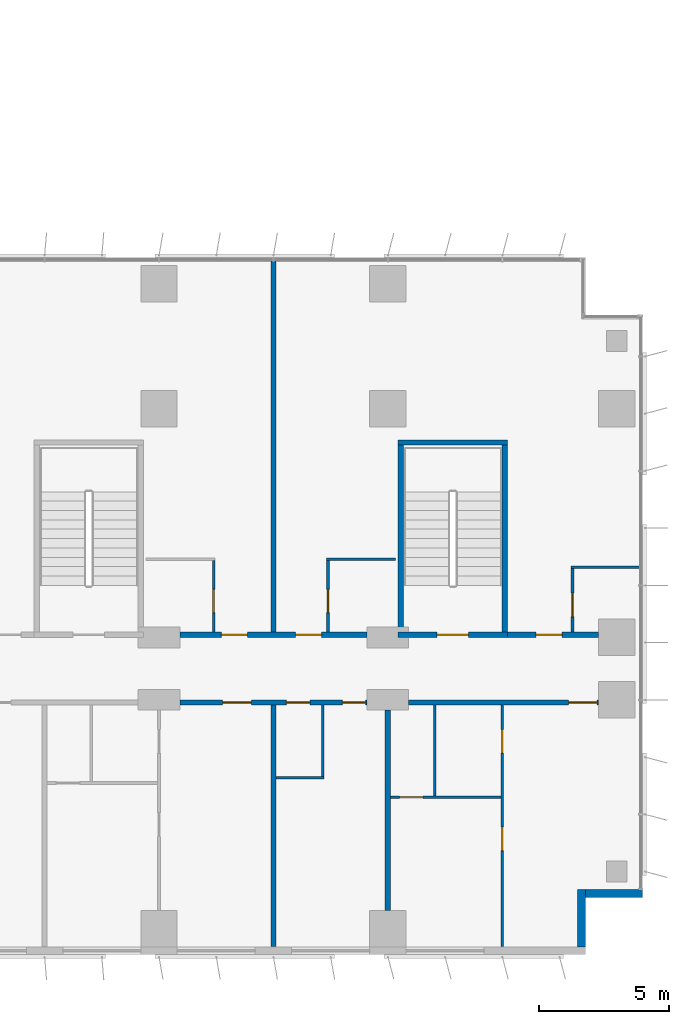
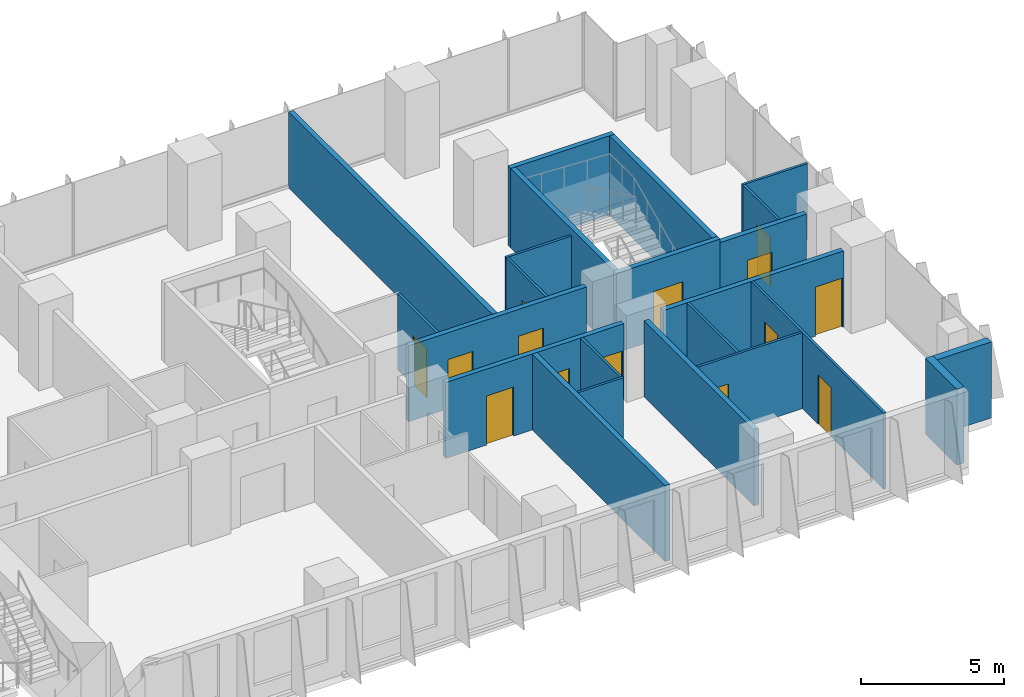
# One storey, part 18 of 24: 23 walls, 14 doors, 14 openings.
"""IFC4 building model written with IfcOpenShell, lengths in metres."""

from ifc_helpers import new_model, si_unit, direction, frame, frame_2d, origin, place, context, subcontext, project, spatial, rectangle, extrude, material, layer, layer_set, type_object, element, fill, save


model = new_model("IFC4")

# Units and contexts
model_context = context("Model", 3, precision=1e-05, world=origin(), true_north=direction((0.0, 1.0)))
body_context = subcontext(model_context, "Body", "Model", "MODEL_VIEW")
ifc_project = project(units=[si_unit("LENGTHUNIT", "METRE"), si_unit("AREAUNIT", "SQUARE_METRE"), si_unit("VOLUMEUNIT", "CUBIC_METRE"), si_unit("PLANEANGLEUNIT", "RADIAN"), si_unit("MASSUNIT", "GRAM", prefix="KILO")], contexts=[model_context])

# Site, building, storey
site_placement = place(None, origin())
site = spatial("IfcSite", under=ifc_project, at=site_placement, CompositionType="ELEMENT")
building_placement = place(site_placement, origin())
building = spatial("IfcBuilding", under=site, at=building_placement, Name="Kemantara Hotel Tower", CompositionType="ELEMENT")
storey_placement = place(building_placement, frame((0.0, 0.0, 79.699951171875)))
storey = spatial("IfcBuildingStorey", under=building, at=storey_placement, Name="L18", CompositionType="ELEMENT", Elevation=79.699951171875)

# Walls
ifc_material_1 = material(Name="Bronze anodised aluminium cladding on insulated steel stud wall", Category="steel")
ifc_layer_1 = layer(ifc_material_1, 0.300048828125)
ifc_layer_set_1 = layer_set([ifc_layer_1], Name="Bronze anodised aluminium cladding on insulated steel stud wall")
wall_type_1 = type_object("IfcWallType", Name="BRONZE METAL-CLAD EXTERNAL WALL 300", PredefinedType="STANDARD", material=ifc_layer_set_1)
for number, where, z_axis, x_axis, name in (
    (1, (78.85009765625, 0.300048828125, 0.0), (0.0, 0.0, 1.0), (0.0, 1.0, 0.0), "EXTERNAL WALL L18 T1-R02"),
    (2, (79.0, 2.35009765625, 0.0), (0.0, 0.0, 1.0), (1.0, 0.0, 0.0), "EXTERNAL WALL L18 T1-R03"),
):
    element("IfcWall", number, at=place(storey_placement, frame(where, z_axis=z_axis, x_axis=x_axis)), inside=storey, type_object=wall_type_1, Name=name, PredefinedType="STANDARD", context=body_context, shape_type="SweptSolid", body=[
        extrude(rectangle(XDim=2.199951171875, YDim=0.300048828125, at=frame_2d((1.10009765625, 0.0))), origin(), (0.0, 0.0, 1.0), 3.25),
    ])

# Wall, openings, doors
ifc_material_2 = material(Name="Gypsum board partition, steel studs and mineral wool, 200 mm", Category="steel")
ifc_layer_2 = layer(ifc_material_2, 0.199951171875)
ifc_layer_set_2 = layer_set([ifc_layer_2], Name="Gypsum board partition, steel studs and mineral wool, 200 mm")
wall_type_2 = type_object("IfcWallType", Name="CORRIDOR WALL 200", PredefinedType="PARTITIONING", material=ifc_layer_set_2)
wall_1_placement = place(storey_placement, frame((70.599853515625, 9.699951171875, 0.0), z_axis=(0.0, 0.0, 1.0), x_axis=(-1.0, 0.0, 0.0)))
wall_1 = element("IfcWall", 3, at=wall_1_placement, inside=storey, type_object=wall_type_2, Name="CORRIDOR WALL 200 003", PredefinedType="PARTITIONING", context=body_context, shape_type="SweptSolid", body=[
    extrude(rectangle(XDim=7.19970703125, YDim=0.199951171875, at=frame_2d((3.599853515625, 0.0))), origin(), (0.0, 0.0, 1.0), 3.25),
])
opening_1_placement = place(wall_1_placement, frame((4.449951171875, 0.0, 0.0)))
opening_1 = element("IfcOpeningElement", 4, at=opening_1_placement, cuts=wall_1, Name="Opening F06-003", PredefinedType="OPENING", context=body_context, shape_type="SweptSolid", body=[
    extrude(rectangle(XDim=1.10009765625, YDim=2.10009765625, at=frame_2d((0.550048828125, 1.050048828125))), frame((0.0, 0.10986328125, 0.0), z_axis=(0.0, -1.0, 0.0), x_axis=(1.0, 0.0, 0.0)), (0.0, 0.0, 1.0), 0.219970703125),
])
opening_2_placement = place(wall_1_placement, frame((0.0498046875, 0.0, 0.0)))
opening_2 = element("IfcOpeningElement", 5, at=opening_2_placement, cuts=wall_1, Name="Opening F06-007", PredefinedType="OPENING", context=body_context, shape_type="SweptSolid", body=[
    extrude(rectangle(XDim=0.89990234375, YDim=2.10009765625, at=frame_2d((0.449951171875, 1.050048828125))), frame((0.0, 0.10986328125, 0.0), z_axis=(0.0, -1.0, 0.0), x_axis=(1.0, 0.0, 0.0)), (0.0, 0.0, 1.0), 0.219970703125),
])
opening_3_placement = place(wall_1_placement, frame((2.199951171875, 0.0, 0.0)))
opening_3 = element("IfcOpeningElement", 6, at=opening_3_placement, cuts=wall_1, Name="Opening F06-008", PredefinedType="OPENING", context=body_context, shape_type="SweptSolid", body=[
    extrude(rectangle(XDim=0.89990234375, YDim=2.10009765625, at=frame_2d((0.449951171875, 1.050048828125))), frame((0.0, 0.10986328125, 0.0), z_axis=(0.0, -1.0, 0.0), x_axis=(1.0, 0.0, 0.0)), (0.0, 0.0, 1.0), 0.219970703125),
])
ifc_material_3 = material(Name="Steel door leaf with steel frame", Category="steel")
door_type_1 = type_object("IfcDoorType", Name="SERVICE ROOM DOOR 900 X 2100 FD60", OperationType="NOTDEFINED", PredefinedType="DOOR", material=ifc_material_3)
door_1_placement = place(opening_2_placement, origin())
door_1 = element("IfcDoor", 7, at=door_1_placement, inside=storey, type_object=door_type_1, Name="SERVICE ROOM DOOR F06-007", OperationType="SINGLE_SWING_LEFT", OverallHeight=2.10009765625, OverallWidth=0.89990234375, PredefinedType="DOOR", context=body_context, shape_type="SweptSolid", body=[
    extrude(rectangle(XDim=0.89990234375, YDim=2.10009765625, at=frame_2d((0.449951171875, 1.050048828125))), frame((0.0, 0.02490234375, 0.0), z_axis=(0.0, -1.0, 0.0), x_axis=(1.0, 0.0, 0.0)), (0.0, 0.0, 1.0), 0.050048828125),
])
fill(opening_2, door_1)
door_2_placement = place(opening_3_placement, origin())
door_2 = element("IfcDoor", 8, at=door_2_placement, inside=storey, type_object=door_type_1, Name="SERVICE ROOM DOOR F06-008", OperationType="SINGLE_SWING_RIGHT", OverallHeight=2.10009765625, OverallWidth=0.89990234375, PredefinedType="DOOR", context=body_context, shape_type="SweptSolid", body=[
    extrude(rectangle(XDim=0.89990234375, YDim=2.10009765625, at=frame_2d((0.449951171875, 1.050048828125))), frame((0.0, 0.02490234375, 0.0), z_axis=(0.0, -1.0, 0.0), x_axis=(1.0, 0.0, 0.0)), (0.0, 0.0, 1.0), 0.050048828125),
])
fill(opening_3, door_2)
ifc_material_4 = material(Name="Hardwood veneer door leaf with steel frame", Category="steel")
door_type_2 = type_object("IfcDoorType", Name="SUITE ENTRANCE DOOR 1100 X 2100 FD30S", OperationType="NOTDEFINED", PredefinedType="DOOR", material=ifc_material_4)
door_3_placement = place(opening_1_placement, origin())
door_3 = element("IfcDoor", 9, at=door_3_placement, inside=storey, type_object=door_type_2, Name="SUITE ENTRANCE DOOR F06-003", OperationType="SINGLE_SWING_LEFT", OverallHeight=2.10009765625, OverallWidth=1.10009765625, PredefinedType="DOOR", context=body_context, shape_type="SweptSolid", body=[
    extrude(rectangle(XDim=1.10009765625, YDim=2.10009765625, at=frame_2d((0.550048828125, 1.050048828125))), frame((0.0, 0.02490234375, 0.0), z_axis=(0.0, -1.0, 0.0), x_axis=(1.0, 0.0, 0.0)), (0.0, 0.0, 1.0), 0.050048828125),
])
fill(opening_1, door_3)

# Wall, opening, door
wall_2_placement = place(storey_placement, frame((79.5, 9.699951171875, 0.0), z_axis=(0.0, 0.0, 1.0), x_axis=(-1.0, 0.0, 0.0)))
wall_2 = element("IfcWall", 10, at=wall_2_placement, inside=storey, type_object=wall_type_2, Name="CORRIDOR WALL 200 004", PredefinedType="PARTITIONING", context=body_context, shape_type="SweptSolid", body=[
    extrude(rectangle(XDim=7.2998046875, YDim=0.199951171875, at=frame_2d((3.64990234375, 0.0))), origin(), (0.0, 0.0, 1.0), 3.25),
])
opening_4_placement = place(wall_2_placement, frame((0.0498046875, 0.0, 0.0)))
opening_4 = element("IfcOpeningElement", 11, at=opening_4_placement, cuts=wall_2, Name="Opening F06-009", PredefinedType="OPENING", context=body_context, shape_type="SweptSolid", body=[
    extrude(rectangle(XDim=1.10009765625, YDim=2.10009765625, at=frame_2d((0.550048828125, 1.050048828125))), frame((0.0, 0.10986328125, 0.0), z_axis=(0.0, -1.0, 0.0), x_axis=(1.0, 0.0, 0.0)), (0.0, 0.0, 1.0), 0.219970703125),
])
door_4_placement = place(opening_4_placement, origin())
door_4 = element("IfcDoor", 12, at=door_4_placement, inside=storey, type_object=door_type_2, Name="SUITE ENTRANCE DOOR F06-009", OperationType="SINGLE_SWING_LEFT", OverallHeight=2.10009765625, OverallWidth=1.10009765625, PredefinedType="DOOR", context=body_context, shape_type="SweptSolid", body=[
    extrude(rectangle(XDim=1.10009765625, YDim=2.10009765625, at=frame_2d((0.550048828125, 1.050048828125))), frame((0.0, 0.02490234375, 0.0), z_axis=(0.0, -1.0, 0.0), x_axis=(1.0, 0.0, 0.0)), (0.0, 0.0, 1.0), 0.050048828125),
])
fill(opening_4, door_4)

# Wall, openings, doors
wall_3_placement = place(storey_placement, frame((63.400146484375, 12.300048828125, 0.0), z_axis=(0.0, 0.0, 1.0), x_axis=(1.0, 0.0, 0.0)))
wall_3 = element("IfcWall", 13, at=wall_3_placement, inside=storey, type_object=wall_type_2, Name="CORRIDOR WALL 200 014", PredefinedType="PARTITIONING", context=body_context, shape_type="SweptSolid", body=[
    extrude(rectangle(XDim=7.19970703125, YDim=0.199951171875, at=frame_2d((3.599853515625, 0.0))), origin(), (0.0, 0.0, 1.0), 3.25),
])
opening_5_placement = place(wall_3_placement, frame((1.599853515625, 0.0, 0.0)))
opening_5 = element("IfcOpeningElement", 14, at=opening_5_placement, cuts=wall_3, Name="Opening F06-023", PredefinedType="OPENING", context=body_context, shape_type="SweptSolid", body=[
    extrude(rectangle(XDim=1.0, YDim=2.10009765625, at=frame_2d((0.5, 1.050048828125))), frame((0.0, 0.10986328125, 0.0), z_axis=(0.0, -1.0, 0.0), x_axis=(1.0, 0.0, 0.0)), (0.0, 0.0, 1.0), 0.219970703125),
])
opening_6_placement = place(wall_3_placement, frame((4.449951171875, 0.0, 0.0)))
opening_6 = element("IfcOpeningElement", 15, at=opening_6_placement, cuts=wall_3, Name="Opening F06-025", PredefinedType="OPENING", context=body_context, shape_type="SweptSolid", body=[
    extrude(rectangle(XDim=1.0, YDim=2.10009765625, at=frame_2d((0.5, 1.050048828125))), frame((0.0, 0.10986328125, 0.0), z_axis=(0.0, -1.0, 0.0), x_axis=(1.0, 0.0, 0.0)), (0.0, 0.0, 1.0), 0.219970703125),
])
door_type_3 = type_object("IfcDoorType", Name="GUEST ROOM DOOR 1000 X 2100 FD30S", OperationType="NOTDEFINED", PredefinedType="DOOR", material=ifc_material_4)
door_5_placement = place(opening_5_placement, origin())
door_5 = element("IfcDoor", 16, at=door_5_placement, inside=storey, type_object=door_type_3, Name="GUEST ROOM DOOR F06-023", OperationType="SINGLE_SWING_RIGHT", OverallHeight=2.10009765625, OverallWidth=1.0, PredefinedType="DOOR", context=body_context, shape_type="SweptSolid", body=[
    extrude(rectangle(XDim=1.0, YDim=2.10009765625, at=frame_2d((0.5, 1.050048828125))), frame((0.0, 0.02490234375, 0.0), z_axis=(0.0, -1.0, 0.0), x_axis=(1.0, 0.0, 0.0)), (0.0, 0.0, 1.0), 0.050048828125),
])
fill(opening_5, door_5)
door_6_placement = place(opening_6_placement, origin())
door_6 = element("IfcDoor", 17, at=door_6_placement, inside=storey, type_object=door_type_3, Name="GUEST ROOM DOOR F06-025", OperationType="SINGLE_SWING_LEFT", OverallHeight=2.10009765625, OverallWidth=1.0, PredefinedType="DOOR", context=body_context, shape_type="SweptSolid", body=[
    extrude(rectangle(XDim=1.0, YDim=2.10009765625, at=frame_2d((0.5, 1.050048828125))), frame((0.0, 0.02490234375, 0.0), z_axis=(0.0, -1.0, 0.0), x_axis=(1.0, 0.0, 0.0)), (0.0, 0.0, 1.0), 0.050048828125),
])
fill(opening_6, door_6)

# Wall, opening, door
wall_4_placement = place(storey_placement, frame((76.0, 12.300048828125, 0.0), z_axis=(0.0, 0.0, 1.0), x_axis=(1.0, 0.0, 0.0)))
wall_4 = element("IfcWall", 18, at=wall_4_placement, inside=storey, type_object=wall_type_2, Name="CORRIDOR WALL 200 015", PredefinedType="PARTITIONING", context=body_context, shape_type="SweptSolid", body=[
    extrude(rectangle(XDim=3.5, YDim=0.199951171875, at=frame_2d((1.75, 0.0))), origin(), (0.0, 0.0, 1.0), 3.25),
])
opening_7_placement = place(wall_4_placement, frame((1.10009765625, 0.0, 0.0)))
opening_7 = element("IfcOpeningElement", 19, at=opening_7_placement, cuts=wall_4, Name="Opening F06-027", PredefinedType="OPENING", context=body_context, shape_type="SweptSolid", body=[
    extrude(rectangle(XDim=1.0, YDim=2.10009765625, at=frame_2d((0.5, 1.050048828125))), frame((0.0, 0.10986328125, 0.0), z_axis=(0.0, -1.0, 0.0), x_axis=(1.0, 0.0, 0.0)), (0.0, 0.0, 1.0), 0.219970703125),
])
door_7_placement = place(opening_7_placement, origin())
door_7 = element("IfcDoor", 20, at=door_7_placement, inside=storey, type_object=door_type_3, Name="GUEST ROOM DOOR F06-027", OperationType="SINGLE_SWING_LEFT", OverallHeight=2.10009765625, OverallWidth=1.0, PredefinedType="DOOR", context=body_context, shape_type="SweptSolid", body=[
    extrude(rectangle(XDim=1.0, YDim=2.10009765625, at=frame_2d((0.5, 1.050048828125))), frame((0.0, 0.02490234375, 0.0), z_axis=(0.0, -1.0, 0.0), x_axis=(1.0, 0.0, 0.0)), (0.0, 0.0, 1.0), 0.050048828125),
])
fill(opening_7, door_7)

ifc_material_5 = material(Name="Concrete fc 40 MPa", Category="concrete")
ifc_layer_3 = layer(ifc_material_5, 0.199951171875)
ifc_layer_set_3 = layer_set([ifc_layer_3], Name="Concrete fc 40 MPa")
wall_type_3 = type_object("IfcWallType", Name="Concrete stair wall 200 mm", PredefinedType="SHEAR", material=ifc_layer_set_3)
wall_5_placement = place(storey_placement, frame((71.800048828125, 12.300048828125, 0.0), z_axis=(0.0, 0.0, 1.0), x_axis=(1.0, 0.0, 0.0)))
wall_5 = element("IfcWall", 21, at=wall_5_placement, inside=storey, type_object=wall_type_3, Name="Stair ST5 enclosure wall with door", PredefinedType="SHEAR", context=body_context, shape_type="SweptSolid", body=[
    extrude(rectangle(XDim=4.199951171875, YDim=0.199951171875, at=frame_2d((2.10009765625, 0.0))), origin(), (0.0, 0.0, 1.0), 3.400146484375),
])
opening_8_placement = place(wall_5_placement, frame((1.5, 0.0, 0.0)))
opening_8 = element("IfcOpeningElement", 22, at=opening_8_placement, cuts=wall_5, Name="Opening ST5-C", PredefinedType="OPENING", context=body_context, shape_type="SweptSolid", body=[
    extrude(rectangle(XDim=1.199951171875, YDim=2.10009765625, at=frame_2d((0.60009765625, 1.050048828125))), frame((0.0, 0.10986328125, 0.0), z_axis=(0.0, -1.0, 0.0), x_axis=(1.0, 0.0, 0.0)), (0.0, 0.0, 1.0), 0.219970703125),
])
ifc_material_6 = material(Name="Steel fire door", Category="steel")
door_type_4 = type_object("IfcDoorType", Name="Fire door FD90 1200 x 2100", OperationType="NOTDEFINED", PredefinedType="DOOR", material=ifc_material_6)
door_8_placement = place(opening_8_placement, origin())
door_8 = element("IfcDoor", 23, at=door_8_placement, inside=storey, type_object=door_type_4, Name="Stair ST5 door", OperationType="SINGLE_SWING_RIGHT", OverallHeight=2.10009765625, OverallWidth=1.199951171875, PredefinedType="DOOR", context=body_context, shape_type="SweptSolid", body=[
    extrude(rectangle(XDim=1.199951171875, YDim=2.10009765625, at=frame_2d((0.60009765625, 1.050048828125))), frame((0.0, 0.02490234375, 0.0), z_axis=(0.0, -1.0, 0.0), x_axis=(1.0, 0.0, 0.0)), (0.0, 0.0, 1.0), 0.050048828125),
])
fill(opening_8, door_8)

# Walls
wall_6_placement = place(storey_placement, frame((71.800048828125, 19.699951171875, 0.0), z_axis=(0.0, 0.0, 1.0), x_axis=(1.0, 0.0, 0.0)))
element("IfcWall", 24, at=wall_6_placement, inside=storey, type_object=wall_type_3, Name="Stair ST5 enclosure wall N", PredefinedType="SHEAR", context=body_context, shape_type="SweptSolid", body=[
    extrude(rectangle(XDim=4.199951171875, YDim=0.199951171875, at=frame_2d((2.10009765625, 0.0))), origin(), (0.0, 0.0, 1.0), 3.400146484375),
])
for number, where, z_axis, x_axis, name in (
    (25, (71.89990234375, 12.39990234375, 0.0), (0.0, 0.0, 1.0), (0.0, 1.0, 0.0), "Stair ST5 enclosure wall W"),
    (26, (75.89990234375, 12.39990234375, 0.0), (0.0, 0.0, 1.0), (0.0, 1.0, 0.0), "Stair ST5 enclosure wall E"),
):
    element("IfcWall", number, at=place(storey_placement, frame(where, z_axis=z_axis, x_axis=x_axis)), inside=storey, type_object=wall_type_3, Name=name, PredefinedType="SHEAR", context=body_context, shape_type="SweptSolid", body=[
        extrude(rectangle(XDim=7.2001953125, YDim=0.199951171875, at=frame_2d((3.60009765625, 0.0))), origin(), (0.0, 0.0, 1.0), 3.400146484375),
    ])
ifc_layer_4 = layer(ifc_material_2, 0.199951171875)
ifc_layer_set_4 = layer_set([ifc_layer_4], Name="Gypsum board partition, steel studs and mineral wool, 200 mm")
wall_type_4 = type_object("IfcWallType", Name="GUEST ROOM PARTY WALL 200", PredefinedType="PARTITIONING", material=ifc_layer_set_4)
wall_7_placement = place(storey_placement, frame((67.0, 0.31005859375, 0.0), z_axis=(0.0, 0.0, 1.0), x_axis=(0.0, 1.0, 0.0)))
element("IfcWall", 27, at=wall_7_placement, inside=storey, type_object=wall_type_4, Name="GUEST ROOM PARTY WALL 200 006", PredefinedType="PARTITIONING", context=body_context, shape_type="SweptSolid", body=[
    extrude(rectangle(XDim=9.2900390625, YDim=0.199951171875, at=frame_2d((4.64501953125, 0.0))), origin(), (0.0, 0.0, 1.0), 3.25),
])
wall_8_placement = place(storey_placement, frame((67.0, 12.39990234375, 0.0), z_axis=(0.0, 0.0, 1.0), x_axis=(0.0, 1.0, 0.0)))
element("IfcWall", 28, at=wall_8_placement, inside=storey, type_object=wall_type_4, Name="GUEST ROOM PARTY WALL 200 007", PredefinedType="PARTITIONING", context=body_context, shape_type="SweptSolid", body=[
    extrude(rectangle(XDim=14.27001953125, YDim=0.199951171875, at=frame_2d((7.135009765625, 0.0))), origin(), (0.0, 0.0, 1.0), 3.25),
])
wall_9_placement = place(storey_placement, frame((71.39990234375, 1.7001953125, 0.0), z_axis=(0.0, 0.0, 1.0), x_axis=(0.0, 1.0, 0.0)))
element("IfcWall", 29, at=wall_9_placement, inside=storey, type_object=wall_type_4, Name="GUEST ROOM PARTY WALL 200 008", PredefinedType="PARTITIONING", context=body_context, shape_type="SweptSolid", body=[
    extrude(rectangle(XDim=7.69970703125, YDim=0.199951171875, at=frame_2d((3.849853515625, 0.0))), origin(), (0.0, 0.0, 1.0), 3.25),
])
ifc_material_7 = material(Name="Gypsum board partition on steel studs, 100 mm", Category="steel")
ifc_layer_5 = layer(ifc_material_7, 0.10009765625)
ifc_layer_set_5 = layer_set([ifc_layer_5], Name="Gypsum board partition on steel studs, 100 mm")
wall_type_5 = type_object("IfcWallType", Name="ROOM PARTITION 100", PredefinedType="PARTITIONING", material=ifc_layer_set_5)
wall_10_placement = place(storey_placement, frame((67.10009765625, 6.800048828125, 0.0), z_axis=(0.0, 0.0, 1.0), x_axis=(1.0, 0.0, 0.0)))
element("IfcWall", 30, at=wall_10_placement, inside=storey, type_object=wall_type_5, Name="ROOM PARTITION 100 063", PredefinedType="PARTITIONING", context=body_context, shape_type="SweptSolid", body=[
    extrude(rectangle(XDim=1.849853515625, YDim=0.10009765625, at=frame_2d((0.9248046875, 0.0))), origin(), (0.0, 0.0, 1.0), 3.25),
])
wall_11_placement = place(storey_placement, frame((68.89990234375, 6.85009765625, 0.0), z_axis=(0.0, 0.0, 1.0), x_axis=(0.0, 1.0, 0.0)))
element("IfcWall", 31, at=wall_11_placement, inside=storey, type_object=wall_type_5, Name="ROOM PARTITION 100 064", PredefinedType="PARTITIONING", context=body_context, shape_type="SweptSolid", body=[
    extrude(rectangle(XDim=2.75, YDim=0.10009765625, at=frame_2d((1.375, 0.0))), origin(), (0.0, 0.0, 1.0), 3.25),
])

# Wall, opening, door
wall_12_placement = place(storey_placement, frame((71.5, 6.050048828125, 0.0), z_axis=(0.0, 0.0, 1.0), x_axis=(1.0, 0.0, 0.0)))
wall_12 = element("IfcWall", 32, at=wall_12_placement, inside=storey, type_object=wall_type_5, Name="ROOM PARTITION 100 065", PredefinedType="PARTITIONING", context=body_context, shape_type="SweptSolid", body=[
    extrude(rectangle(XDim=4.25, YDim=0.10009765625, at=frame_2d((2.125, 0.0))), origin(), (0.0, 0.0, 1.0), 3.25),
])
opening_9_placement = place(wall_12_placement, frame((0.35009765625, 0.0, 0.0)))
opening_9 = element("IfcOpeningElement", 33, at=opening_9_placement, cuts=wall_12, Name="Opening F06-012", PredefinedType="OPENING", context=body_context, shape_type="SweptSolid", body=[
    extrude(rectangle(XDim=0.89990234375, YDim=2.10009765625, at=frame_2d((0.449951171875, 1.050048828125))), frame((0.0, 0.06005859375, 0.0), z_axis=(0.0, -1.0, 0.0), x_axis=(1.0, 0.0, 0.0)), (0.0, 0.0, 1.0), 0.1201171875),
])
door_type_5 = type_object("IfcDoorType", Name="BATHROOM DOOR 900 X 2100", OperationType="NOTDEFINED", PredefinedType="DOOR", material=ifc_material_4)
door_9_placement = place(opening_9_placement, origin())
door_9 = element("IfcDoor", 34, at=door_9_placement, inside=storey, type_object=door_type_5, Name="BATHROOM DOOR F06-012", OperationType="SINGLE_SWING_RIGHT", OverallHeight=2.10009765625, OverallWidth=0.89990234375, PredefinedType="DOOR", context=body_context, shape_type="SweptSolid", body=[
    extrude(rectangle(XDim=0.89990234375, YDim=2.10009765625, at=frame_2d((0.449951171875, 1.050048828125))), frame((0.0, 0.02490234375, 0.0), z_axis=(0.0, -1.0, 0.0), x_axis=(1.0, 0.0, 0.0)), (0.0, 0.0, 1.0), 0.050048828125),
])
fill(opening_9, door_9)

# Wall, openings, doors
wall_13_placement = place(storey_placement, frame((75.800048828125, 0.31005859375, 0.0), z_axis=(0.0, 0.0, 1.0), x_axis=(0.0, 1.0, 0.0)))
wall_13 = element("IfcWall", 35, at=wall_13_placement, inside=storey, type_object=wall_type_5, Name="ROOM PARTITION 100 066", PredefinedType="PARTITIONING", context=body_context, shape_type="SweptSolid", body=[
    extrude(rectangle(XDim=9.2900390625, YDim=0.10009765625, at=frame_2d((4.64501953125, 0.0))), origin(), (0.0, 0.0, 1.0), 3.25),
])
opening_10_placement = place(wall_13_placement, frame((7.43994140625, 0.0, 0.0)))
opening_10 = element("IfcOpeningElement", 36, at=opening_10_placement, cuts=wall_13, Name="Opening F06-010", PredefinedType="OPENING", context=body_context, shape_type="SweptSolid", body=[
    extrude(rectangle(XDim=0.89990234375, YDim=2.10009765625, at=frame_2d((0.449951171875, 1.050048828125))), frame((0.0, 0.06005859375, 0.0), z_axis=(0.0, -1.0, 0.0), x_axis=(1.0, 0.0, 0.0)), (0.0, 0.0, 1.0), 0.1201171875),
])
opening_11_placement = place(wall_13_placement, frame((3.68994140625, 0.0, 0.0)))
opening_11 = element("IfcOpeningElement", 37, at=opening_11_placement, cuts=wall_13, Name="Opening F06-011", PredefinedType="OPENING", context=body_context, shape_type="SweptSolid", body=[
    extrude(rectangle(XDim=0.89990234375, YDim=2.10009765625, at=frame_2d((0.449951171875, 1.050048828125))), frame((0.0, 0.06005859375, 0.0), z_axis=(0.0, -1.0, 0.0), x_axis=(1.0, 0.0, 0.0)), (0.0, 0.0, 1.0), 0.1201171875),
])
door_type_6 = type_object("IfcDoorType", Name="INTERNAL DOOR 900 X 2100", OperationType="NOTDEFINED", PredefinedType="DOOR", material=ifc_material_4)
door_10_placement = place(opening_11_placement, origin())
door_10 = element("IfcDoor", 38, at=door_10_placement, inside=storey, type_object=door_type_6, Name="INTERNAL DOOR F06-011", OperationType="SINGLE_SWING_RIGHT", OverallHeight=2.10009765625, OverallWidth=0.89990234375, PredefinedType="DOOR", context=body_context, shape_type="SweptSolid", body=[
    extrude(rectangle(XDim=0.89990234375, YDim=2.10009765625, at=frame_2d((0.449951171875, 1.050048828125))), frame((0.0, 0.02490234375, 0.0), z_axis=(0.0, -1.0, 0.0), x_axis=(1.0, 0.0, 0.0)), (0.0, 0.0, 1.0), 0.050048828125),
])
fill(opening_11, door_10)
door_type_7 = type_object("IfcDoorType", Name="PANTRY DOOR 900 X 2100", OperationType="NOTDEFINED", PredefinedType="DOOR", material=ifc_material_4)
door_11_placement = place(opening_10_placement, frame((0.89990234375, 0.0, 0.0), z_axis=(0.0, 0.0, 1.0), x_axis=(-1.0, 0.0, 0.0)))
door_11 = element("IfcDoor", 39, at=door_11_placement, inside=storey, type_object=door_type_7, Name="PANTRY DOOR F06-010", OperationType="SINGLE_SWING_RIGHT", OverallHeight=2.10009765625, OverallWidth=0.89990234375, PredefinedType="DOOR", context=body_context, shape_type="SweptSolid", body=[
    extrude(rectangle(XDim=0.89990234375, YDim=2.10009765625, at=frame_2d((0.449951171875, 1.050048828125))), frame((0.0, 0.02490234375, 0.0), z_axis=(0.0, -1.0, 0.0), x_axis=(1.0, 0.0, 0.0)), (0.0, 0.0, 1.0), 0.050048828125),
])
fill(opening_10, door_11)

# Walls
wall_14_placement = place(storey_placement, frame((73.199951171875, 6.10009765625, 0.0), z_axis=(0.0, 0.0, 1.0), x_axis=(0.0, 1.0, 0.0)))
element("IfcWall", 40, at=wall_14_placement, inside=storey, type_object=wall_type_5, Name="ROOM PARTITION 100 067", PredefinedType="PARTITIONING", context=body_context, shape_type="SweptSolid", body=[
    extrude(rectangle(XDim=3.5, YDim=0.10009765625, at=frame_2d((1.75, 0.0))), origin(), (0.0, 0.0, 1.0), 3.25),
])
wall_15_placement = place(storey_placement, frame((69.050048828125, 15.199951171875, 0.0), z_axis=(0.0, 0.0, 1.0), x_axis=(1.0, 0.0, 0.0)))
element("IfcWall", 41, at=wall_15_placement, inside=storey, type_object=wall_type_5, Name="ROOM PARTITION 100 076", PredefinedType="PARTITIONING", context=body_context, shape_type="SweptSolid", body=[
    extrude(rectangle(XDim=2.64990234375, YDim=0.10009765625, at=frame_2d((1.324951171875, 0.0))), origin(), (0.0, 0.0, 1.0), 3.25),
])

# Wall, opening, door
wall_16_placement = place(storey_placement, frame((64.699951171875, 12.39990234375, 0.0), z_axis=(0.0, 0.0, 1.0), x_axis=(0.0, 1.0, 0.0)))
wall_16 = element("IfcWall", 42, at=wall_16_placement, inside=storey, type_object=wall_type_5, Name="ROOM PARTITION 100 081", PredefinedType="PARTITIONING", context=body_context, shape_type="SweptSolid", body=[
    extrude(rectangle(XDim=2.75, YDim=0.10009765625, at=frame_2d((1.375, 0.0))), origin(), (0.0, 0.0, 1.0), 3.25),
])
opening_12_placement = place(wall_16_placement, frame((0.75, 0.0, 0.0)))
opening_12 = element("IfcOpeningElement", 43, at=opening_12_placement, cuts=wall_16, Name="Opening F06-024", PredefinedType="OPENING", context=body_context, shape_type="SweptSolid", body=[
    extrude(rectangle(XDim=0.89990234375, YDim=2.10009765625, at=frame_2d((0.449951171875, 1.050048828125))), frame((0.0, 0.06005859375, 0.0), z_axis=(0.0, -1.0, 0.0), x_axis=(1.0, 0.0, 0.0)), (0.0, 0.0, 1.0), 0.1201171875),
])
door_12_placement = place(opening_12_placement, origin())
door_12 = element("IfcDoor", 44, at=door_12_placement, inside=storey, type_object=door_type_5, Name="BATHROOM DOOR F06-024", OperationType="SINGLE_SWING_LEFT", OverallHeight=2.10009765625, OverallWidth=0.89990234375, PredefinedType="DOOR", context=body_context, shape_type="SweptSolid", body=[
    extrude(rectangle(XDim=0.89990234375, YDim=2.10009765625, at=frame_2d((0.449951171875, 1.050048828125))), frame((0.0, 0.02490234375, 0.0), z_axis=(0.0, -1.0, 0.0), x_axis=(1.0, 0.0, 0.0)), (0.0, 0.0, 1.0), 0.050048828125),
])
fill(opening_12, door_12)

wall_17_placement = place(storey_placement, frame((69.10009765625, 15.14990234375, 0.0), z_axis=(0.0, 0.0, 1.0), x_axis=(0.0, -1.0, 0.0)))
wall_17 = element("IfcWall", 45, at=wall_17_placement, inside=storey, type_object=wall_type_5, Name="ROOM PARTITION 100 082", PredefinedType="PARTITIONING", context=body_context, shape_type="SweptSolid", body=[
    extrude(rectangle(XDim=2.75, YDim=0.10009765625, at=frame_2d((1.375, 0.0))), origin(), (0.0, 0.0, 1.0), 3.25),
])
opening_13_placement = place(wall_17_placement, frame((1.10009765625, 0.0, 0.0)))
opening_13 = element("IfcOpeningElement", 46, at=opening_13_placement, cuts=wall_17, Name="Opening F06-026", PredefinedType="OPENING", context=body_context, shape_type="SweptSolid", body=[
    extrude(rectangle(XDim=0.89990234375, YDim=2.10009765625, at=frame_2d((0.449951171875, 1.050048828125))), frame((0.0, 0.06005859375, 0.0), z_axis=(0.0, -1.0, 0.0), x_axis=(1.0, 0.0, 0.0)), (0.0, 0.0, 1.0), 0.1201171875),
])
door_13_placement = place(opening_13_placement, origin())
door_13 = element("IfcDoor", 47, at=door_13_placement, inside=storey, type_object=door_type_5, Name="BATHROOM DOOR F06-026", OperationType="SINGLE_SWING_RIGHT", OverallHeight=2.10009765625, OverallWidth=0.89990234375, PredefinedType="DOOR", context=body_context, shape_type="SweptSolid", body=[
    extrude(rectangle(XDim=0.89990234375, YDim=2.10009765625, at=frame_2d((0.449951171875, 1.050048828125))), frame((0.0, 0.02490234375, 0.0), z_axis=(0.0, -1.0, 0.0), x_axis=(1.0, 0.0, 0.0)), (0.0, 0.0, 1.0), 0.050048828125),
])
fill(opening_13, door_13)

# Wall
wall_18_placement = place(storey_placement, frame((78.449951171875, 14.89990234375, 0.0), z_axis=(0.0, 0.0, 1.0), x_axis=(1.0, 0.0, 0.0)))
element("IfcWall", 48, at=wall_18_placement, inside=storey, type_object=wall_type_5, Name="ROOM PARTITION 100 083", PredefinedType="PARTITIONING", context=body_context, shape_type="SweptSolid", body=[
    extrude(rectangle(XDim=2.6201171875, YDim=0.10009765625, at=frame_2d((1.31005859375, 0.0))), origin(), (0.0, 0.0, 1.0), 3.25),
])

# Wall, opening, door
wall_19_placement = place(storey_placement, frame((78.5, 14.85009765625, 0.0), z_axis=(0.0, 0.0, 1.0), x_axis=(0.0, -1.0, 0.0)))
wall_19 = element("IfcWall", 49, at=wall_19_placement, inside=storey, type_object=wall_type_5, Name="ROOM PARTITION 100 084", PredefinedType="PARTITIONING", context=body_context, shape_type="SweptSolid", body=[
    extrude(rectangle(XDim=2.4501953125, YDim=0.10009765625, at=frame_2d((1.22509765625, 0.0))), origin(), (0.0, 0.0, 1.0), 3.25),
])
opening_14_placement = place(wall_19_placement, frame((0.949951171875, 0.0, 0.0)))
opening_14 = element("IfcOpeningElement", 50, at=opening_14_placement, cuts=wall_19, Name="Opening F06-028", PredefinedType="OPENING", context=body_context, shape_type="SweptSolid", body=[
    extrude(rectangle(XDim=0.89990234375, YDim=2.10009765625, at=frame_2d((0.449951171875, 1.050048828125))), frame((0.0, 0.06005859375, 0.0), z_axis=(0.0, -1.0, 0.0), x_axis=(1.0, 0.0, 0.0)), (0.0, 0.0, 1.0), 0.1201171875),
])
door_14_placement = place(opening_14_placement, origin())
door_14 = element("IfcDoor", 51, at=door_14_placement, inside=storey, type_object=door_type_5, Name="BATHROOM DOOR F06-028", OperationType="SINGLE_SWING_RIGHT", OverallHeight=2.10009765625, OverallWidth=0.89990234375, PredefinedType="DOOR", context=body_context, shape_type="SweptSolid", body=[
    extrude(rectangle(XDim=0.89990234375, YDim=2.10009765625, at=frame_2d((0.449951171875, 1.050048828125))), frame((0.0, 0.02490234375, 0.0), z_axis=(0.0, -1.0, 0.0), x_axis=(1.0, 0.0, 0.0)), (0.0, 0.0, 1.0), 0.050048828125),
])
fill(opening_14, door_14)

save(model, "model.ifc")
